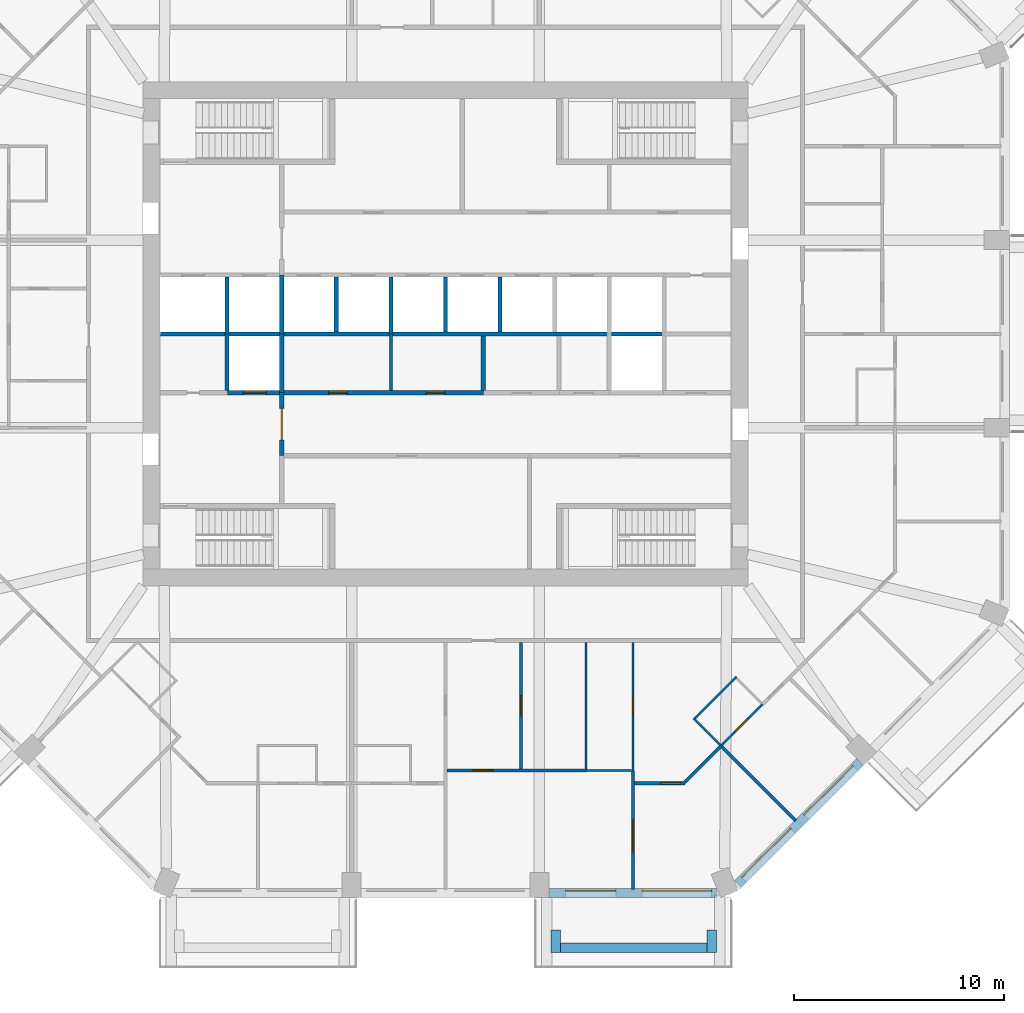
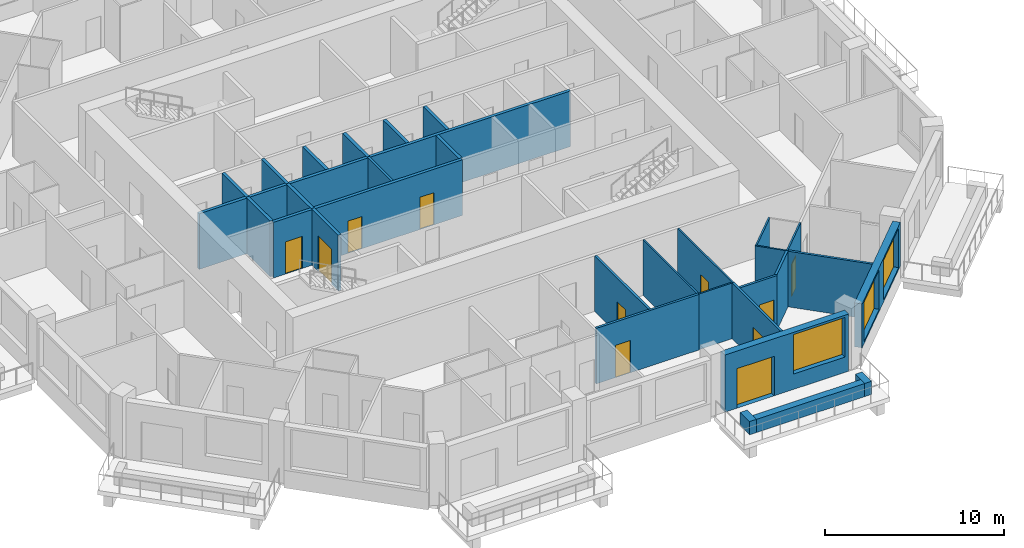
# One storey, part 5 of 13: 31 walls, 11 doors, 3 windows, 14 openings.
"""IFC4 building model written with IfcOpenShell, lengths in metres."""

from ifc_helpers import new_model, si_unit, direction, frame, frame_2d, origin, place, context, subcontext, project, spatial, rectangle, extrude, material, layer, layer_set, type_object, element, fill, save


model = new_model("IFC4")

# Units and contexts
model_context = context("Model", 3, precision=1e-05, world=origin(), true_north=direction((0.0, 1.0)))
body_context = subcontext(model_context, "Body", "Model", "MODEL_VIEW")
ifc_project = project(units=[si_unit("LENGTHUNIT", "METRE"), si_unit("AREAUNIT", "SQUARE_METRE"), si_unit("VOLUMEUNIT", "CUBIC_METRE"), si_unit("PLANEANGLEUNIT", "RADIAN"), si_unit("MASSUNIT", "GRAM", prefix="KILO")], contexts=[model_context])

# Site, building, storey
site_placement = place(None, origin())
site = spatial("IfcSite", under=ifc_project, at=site_placement, CompositionType="ELEMENT")
building_placement = place(site_placement, origin())
building = spatial("IfcBuilding", under=site, at=building_placement, Name="Msitu Wima Residences", CompositionType="ELEMENT")
storey_placement = place(building_placement, frame((0.0, 0.0, 152.699951171875)))
storey = spatial("IfcBuildingStorey", under=building, at=storey_placement, Name="L35", CompositionType="ELEMENT", Elevation=152.699951171875)

# Walls
ifc_material_1 = material(Name="Facing brick")
ifc_layer_1 = layer(ifc_material_1, 0.06494140625, Name="Facing brick")
ifc_material_2 = material(Name="Concrete C40/50", Category="concrete")
ifc_layer_2 = layer(ifc_material_2, 0.156005859375, Name="Concrete C40/50")
ifc_material_3 = material(Name="Waterproofing membrane")
ifc_layer_3 = layer(ifc_material_3, 0.00390625, Name="Waterproofing membrane")
ifc_material_4 = material(Name="Planting soil and planting")
ifc_layer_4 = layer(ifc_material_4, 0.22509765625, Name="Planting soil and planting")
ifc_layer_set_1 = layer_set([ifc_layer_1, ifc_layer_2, ifc_layer_3, ifc_layer_4], Name="Concrete C40/50")
wall_type_1 = type_object("IfcWallType", Name="Balcony planter PLANTER PL450", PredefinedType="USERDEFINED", material=ifc_layer_set_1)
wall_1_placement = place(storey_placement, frame((5.468505859375, -29.22509765625, 0.0), z_axis=(0.0, 0.0, 1.0), x_axis=(1.0, 0.0, 0.0)))
element("IfcWall", 1, at=wall_1_placement, inside=storey, type_object=wall_type_1, Name="Balcony planter S2 L35", ObjectType="PLANTER", PredefinedType="USERDEFINED", context=body_context, shape_type="SweptSolid", body=[
    extrude(rectangle(XDim=6.9873046875, YDim=0.449951171875, at=frame_2d((3.49365234375, 0.0))), origin(), (0.0, 0.0, 1.0), 0.900146484375),
])
for number, where, z_axis, x_axis, name in (
    (2, (5.24365234375, -28.39990234375, 0.0), (0.0, 0.0, 1.0), (0.0, -1.0, 0.0), "Balcony planter S2 L35"),
    (3, (12.680908203125, -28.39990234375, 0.0), (0.0, 0.0, 1.0), (0.0, -1.0, 0.0), "Balcony planter S2 L35"),
):
    element("IfcWall", number, at=place(storey_placement, frame(where, z_axis=z_axis, x_axis=x_axis)), inside=storey, type_object=wall_type_1, Name=name, ObjectType="PLANTER", PredefinedType="USERDEFINED", context=body_context, shape_type="SweptSolid", body=[
        extrude(rectangle(XDim=1.050048828125, YDim=0.449951171875, at=frame_2d((0.52490234375, 0.0))), origin(), (0.0, 0.0, 1.0), 0.900146484375),
    ])

# Wall, openings, door, window
ifc_material_5 = material(Name="Brick (red buff mix)", Category="masonry")
ifc_layer_5 = layer(ifc_material_5, 0.449951171875)
ifc_layer_set_2 = layer_set([ifc_layer_5], Name="Brick (red buff mix)")
wall_type_2 = type_object("IfcWallType", Name="Brick infill wall BW450", PredefinedType="SOLIDWALL", material=ifc_layer_set_2)
wall_2_placement = place(storey_placement, frame((4.918701171875, -26.625, 0.0), z_axis=(0.0, 0.0, 1.0), x_axis=(1.0, 0.0, 0.0)))
wall_2 = element("IfcWall", 4, at=wall_2_placement, inside=storey, type_object=wall_type_2, Name="Brick infill wall L35 S2", PredefinedType="SOLIDWALL", context=body_context, shape_type="SweptSolid", body=[
    extrude(rectangle(XDim=8.0, YDim=0.449951171875, at=frame_2d((4.0, 0.0))), origin(), (0.0, 0.0, 1.0), 3.900146484375),
])
opening_1_placement = place(wall_2_placement, frame((0.800048828125, 0.0, 0.0)))
opening_1 = element("IfcOpeningElement", 5, at=opening_1_placement, cuts=wall_2, Name="Opening D34-35.007", PredefinedType="OPENING", context=body_context, shape_type="SweptSolid", body=[
    extrude(rectangle(XDim=2.39990234375, YDim=2.699951171875, at=frame_2d((1.199951171875, 1.35009765625))), frame((0.0, 0.23486328125, 0.0), z_axis=(0.0, -1.0, 0.0), x_axis=(1.0, 0.0, 0.0)), (0.0, 0.0, 1.0), 0.469970703125),
])
opening_2_placement = place(wall_2_placement, frame((4.4501953125, 0.0, 1.050048828125)))
opening_2 = element("IfcOpeningElement", 6, at=opening_2_placement, cuts=wall_2, Name="Opening W34-35.019", PredefinedType="OPENING", context=body_context, shape_type="SweptSolid", body=[
    extrude(rectangle(XDim=3.300048828125, YDim=2.699951171875, at=frame_2d((1.64990234375, 1.35009765625))), frame((0.0, 0.23486328125, 0.0), z_axis=(0.0, -1.0, 0.0), x_axis=(1.0, 0.0, 0.0)), (0.0, 0.0, 1.0), 0.469970703125),
])
ifc_material_6 = material(Name="Anodised aluminium, bronze finish, clear low-emissivity double glazing", Category="aluminium")
door_type_1 = type_object("IfcDoorType", Name="Balcony door D2400x2700", OperationType="SLIDING_TO_LEFT", PredefinedType="DOOR", material=ifc_material_6)
door_1_placement = place(opening_1_placement, origin())
door_1 = element("IfcDoor", 7, at=door_1_placement, inside=storey, type_object=door_type_1, Name="Balcony door L35 S2", OperationType="SINGLE_SWING_LEFT", OverallHeight=2.699951171875, OverallWidth=2.39990234375, PredefinedType="DOOR", context=body_context, shape_type="SweptSolid", body=[
    extrude(rectangle(XDim=2.39990234375, YDim=2.699951171875, at=frame_2d((1.199951171875, 1.35009765625))), frame((0.0, 0.1298828125, 0.0), z_axis=(0.0, -1.0, 0.0), x_axis=(1.0, 0.0, 0.0)), (0.0, 0.0, 1.0), 0.050048828125),
])
fill(opening_1, door_1)
window_type = type_object("IfcWindowType", Name="Window W3300x2700", PartitioningType="DOUBLE_PANEL_VERTICAL", PredefinedType="WINDOW", material=ifc_material_6)
window_1_placement = place(opening_2_placement, origin())
window_1 = element("IfcWindow", 8, at=window_1_placement, inside=storey, type_object=window_type, Name="Window L35 S2.2", OverallHeight=2.699951171875, OverallWidth=3.300048828125, PartitioningType="SINGLE_PANEL", PredefinedType="WINDOW", context=body_context, shape_type="SweptSolid", body=[
    extrude(rectangle(XDim=3.300048828125, YDim=2.699951171875, at=frame_2d((1.64990234375, 1.35009765625))), frame((0.0, 0.135009765625, 0.0), z_axis=(0.0, -1.0, 0.0), x_axis=(1.0, 0.0, 0.0)), (0.0, 0.0, 1.0), 0.06005859375),
])
fill(opening_2, window_1)

# Wall, openings, windows
wall_3_placement = place(storey_placement, frame((13.909423828125, -26.214599609375, 0.900146484375), z_axis=(0.0, 0.0, 1.0), x_axis=(0.707106781187, 0.707106781187, 0.0)))
wall_3 = element("IfcWall", 9, at=wall_3_placement, inside=storey, type_object=wall_type_2, Name="Brick infill wall L35 SE0", PredefinedType="SOLIDWALL", context=body_context, shape_type="SweptSolid", body=[
    extrude(rectangle(XDim=8.251220703125, YDim=0.449951171875, at=frame_2d((4.12548828125, 0.0))), origin(), (0.0, 0.0, 1.0), 3.0),
])
opening_3_placement = place(wall_3_placement, frame((0.37548828125, 0.0, 0.14990234375)))
opening_3 = element("IfcOpeningElement", 10, at=opening_3_placement, cuts=wall_3, Name="Opening W34-35.020", PredefinedType="OPENING", context=body_context, shape_type="SweptSolid", body=[
    extrude(rectangle(XDim=3.300048828125, YDim=2.699951171875, at=frame_2d((1.64990234375, 1.35009765625))), frame((0.0, 0.23486328125, 0.0), z_axis=(0.0, -1.0, 0.0), x_axis=(1.0, 0.0, 0.0)), (0.0, 0.0, 1.0), 0.469970703125),
])
opening_4_placement = place(wall_3_placement, frame((4.57568359375, 0.0, 0.14990234375)))
opening_4 = element("IfcOpeningElement", 11, at=opening_4_placement, cuts=wall_3, Name="Opening W34-35.021", PredefinedType="OPENING", context=body_context, shape_type="SweptSolid", body=[
    extrude(rectangle(XDim=3.300048828125, YDim=2.699951171875, at=frame_2d((1.64990234375, 1.35009765625))), frame((0.0, 0.23486328125, 0.0), z_axis=(0.0, -1.0, 0.0), x_axis=(1.0, 0.0, 0.0)), (0.0, 0.0, 1.0), 0.469970703125),
])
window_2_placement = place(opening_3_placement, origin())
window_2 = element("IfcWindow", 12, at=window_2_placement, inside=storey, type_object=window_type, Name="Window L35 SE0.1", OverallHeight=2.699951171875, OverallWidth=3.300048828125, PartitioningType="SINGLE_PANEL", PredefinedType="WINDOW", context=body_context, shape_type="SweptSolid", body=[
    extrude(rectangle(XDim=3.300048828125, YDim=2.699951171875, at=frame_2d((1.64990234375, 1.35009765625))), frame((0.0, 0.135009765625, 0.0), z_axis=(0.0, -1.0, 0.0), x_axis=(1.0, 0.0, 0.0)), (0.0, 0.0, 1.0), 0.06005859375),
])
fill(opening_3, window_2)
window_3_placement = place(opening_4_placement, origin())
window_3 = element("IfcWindow", 13, at=window_3_placement, inside=storey, type_object=window_type, Name="Window L35 SE0.2", OverallHeight=2.699951171875, OverallWidth=3.300048828125, PartitioningType="SINGLE_PANEL", PredefinedType="WINDOW", context=body_context, shape_type="SweptSolid", body=[
    extrude(rectangle(XDim=3.300048828125, YDim=2.699951171875, at=frame_2d((1.64990234375, 1.35009765625))), frame((0.0, 0.135009765625, 0.0), z_axis=(0.0, -1.0, 0.0), x_axis=(1.0, 0.0, 0.0)), (0.0, 0.0, 1.0), 0.06005859375),
])
fill(opening_4, window_3)

# Wall, openings, doors
ifc_material_7 = material(Name="Plaster")
ifc_layer_6 = layer(ifc_material_7, 0.011962890625, Name="Plaster")
ifc_material_8 = material(Name="Concrete blockwork", Category="masonry")
ifc_layer_7 = layer(ifc_material_8, 0.176025390625, Name="Concrete blockwork")
ifc_layer_8 = layer(ifc_material_7, 0.011962890625, Name="Plaster")
ifc_layer_set_3 = layer_set([ifc_layer_6, ifc_layer_7, ifc_layer_8], Name="Concrete blockwork")
wall_type_3 = type_object("IfcWallType", Name="Corridor wall FW200", PredefinedType="PARTITIONING", material=ifc_layer_set_3)
wall_4_placement = place(storey_placement, frame((-7.820068359375, -2.800048828125, 0.0), z_axis=(0.0, 0.0, 1.0), x_axis=(1.0, 0.0, 0.0)))
wall_4 = element("IfcWall", 14, at=wall_4_placement, inside=storey, type_object=wall_type_3, Name="Corridor wall", PredefinedType="PARTITIONING", context=body_context, shape_type="SweptSolid", body=[
    extrude(rectangle(XDim=9.64013671875, YDim=0.199951171875, at=frame_2d((4.820068359375, 0.0))), origin(), (0.0, 0.0, 1.0), 3.798095703125),
])
opening_5_placement = place(wall_4_placement, frame((2.25, 0.0, 0.0)))
opening_5 = element("IfcOpeningElement", 15, at=opening_5_placement, cuts=wall_4, Name="Opening D34-35.029", PredefinedType="OPENING", context=body_context, shape_type="SweptSolid", body=[
    extrude(rectangle(XDim=0.89990234375, YDim=2.199951171875, at=frame_2d((0.449951171875, 1.10009765625))), frame((0.0, 0.10986328125, 0.0), z_axis=(0.0, -1.0, 0.0), x_axis=(1.0, 0.0, 0.0)), (0.0, 0.0, 1.0), 0.219970703125),
])
opening_6_placement = place(wall_4_placement, frame((6.89990234375, 0.0, 0.0)))
opening_6 = element("IfcOpeningElement", 16, at=opening_6_placement, cuts=wall_4, Name="Opening D34-35.030", PredefinedType="OPENING", context=body_context, shape_type="SweptSolid", body=[
    extrude(rectangle(XDim=0.89990234375, YDim=2.199951171875, at=frame_2d((0.449951171875, 1.10009765625))), frame((0.0, 0.10986328125, 0.0), z_axis=(0.0, -1.0, 0.0), x_axis=(1.0, 0.0, 0.0)), (0.0, 0.0, 1.0), 0.219970703125),
])
ifc_material_9 = material(Name="Timber flush door", Category="wood")
door_type_2 = type_object("IfcDoorType", Name="Service door D05 900x2200", OperationType="SINGLE_SWING_LEFT", PredefinedType="DOOR", material=ifc_material_9)
door_2_placement = place(opening_5_placement, origin())
door_2 = element("IfcDoor", 17, at=door_2_placement, inside=storey, type_object=door_type_2, Name="Service door", OperationType="SINGLE_SWING_RIGHT", OverallHeight=2.199951171875, OverallWidth=0.89990234375, PredefinedType="DOOR", context=body_context, shape_type="SweptSolid", body=[
    extrude(rectangle(XDim=0.89990234375, YDim=2.199951171875, at=frame_2d((0.449951171875, 1.10009765625))), frame((0.0, 0.02490234375, 0.0), z_axis=(0.0, -1.0, 0.0), x_axis=(1.0, 0.0, 0.0)), (0.0, 0.0, 1.0), 0.050048828125),
])
fill(opening_5, door_2)
door_3_placement = place(opening_6_placement, origin())
door_3 = element("IfcDoor", 18, at=door_3_placement, inside=storey, type_object=door_type_2, Name="Service door", OperationType="SINGLE_SWING_LEFT", OverallHeight=2.199951171875, OverallWidth=0.89990234375, PredefinedType="DOOR", context=body_context, shape_type="SweptSolid", body=[
    extrude(rectangle(XDim=0.89990234375, YDim=2.199951171875, at=frame_2d((0.449951171875, 1.10009765625))), frame((0.0, 0.02490234375, 0.0), z_axis=(0.0, -1.0, 0.0), x_axis=(1.0, 0.0, 0.0)), (0.0, 0.0, 1.0), 0.050048828125),
])
fill(opening_6, door_3)

# Wall, opening, door
wall_5_placement = place(storey_placement, frame((-7.800048828125, -5.800048828125, 0.0), z_axis=(0.0, 0.0, 1.0), x_axis=(0.0, 1.0, 0.0)))
wall_5 = element("IfcWall", 19, at=wall_5_placement, inside=storey, type_object=wall_type_3, Name="Corridor wall", PredefinedType="PARTITIONING", context=body_context, shape_type="SweptSolid", body=[
    extrude(rectangle(XDim=3.0, YDim=0.199951171875, at=frame_2d((1.5, 0.0))), origin(), (0.0, 0.0, 1.0), 3.798095703125),
])
opening_7_placement = place(wall_5_placement, frame((0.75, 0.0, 0.0)))
opening_7 = element("IfcOpeningElement", 20, at=opening_7_placement, cuts=wall_5, Name="Opening D34-35.019", PredefinedType="OPENING", context=body_context, shape_type="SweptSolid", body=[
    extrude(rectangle(XDim=1.5, YDim=2.39990234375, at=frame_2d((0.75, 1.199951171875))), frame((0.0, 0.10986328125, 0.0), z_axis=(0.0, -1.0, 0.0), x_axis=(1.0, 0.0, 0.0)), (0.0, 0.0, 1.0), 0.219970703125),
])
ifc_material_10 = material(Name="Steel framed glazed door, fire resisting", Category="steel")
door_type_3 = type_object("IfcDoorType", Name="Lobby door D07 1500x2400", OperationType="DOUBLE_DOOR_SINGLE_SWING", PredefinedType="DOOR", material=ifc_material_10)
door_4_placement = place(opening_7_placement, origin())
door_4 = element("IfcDoor", 21, at=door_4_placement, inside=storey, type_object=door_type_3, Name="Lobby door", OperationType="DOUBLE_DOOR_SINGLE_SWING", OverallHeight=2.39990234375, OverallWidth=1.5, PredefinedType="DOOR", context=body_context, shape_type="SweptSolid", body=[
    extrude(rectangle(XDim=1.5, YDim=2.39990234375, at=frame_2d((0.75, 1.199951171875))), frame((0.0, 0.02490234375, 0.0), z_axis=(0.0, -1.0, 0.0), x_axis=(1.0, 0.0, 0.0)), (0.0, 0.0, 1.0), 0.050048828125),
])
fill(opening_7, door_4)

# Wall
ifc_layer_9 = layer(ifc_material_7, 0.011962890625, Name="Plaster")
ifc_layer_10 = layer(ifc_material_8, 0.1259765625, Name="Concrete blockwork")
ifc_layer_11 = layer(ifc_material_7, 0.011962890625, Name="Plaster")
ifc_layer_set_4 = layer_set([ifc_layer_9, ifc_layer_10, ifc_layer_11], Name="Concrete blockwork")
wall_type_4 = type_object("IfcWallType", Name="Partition PW150", PredefinedType="PARTITIONING", material=ifc_layer_set_4)
wall_6_placement = place(storey_placement, frame((-2.60009765625, -2.699951171875, 0.0), z_axis=(0.0, 0.0, 1.0), x_axis=(0.0, 1.0, 0.0)))
element("IfcWall", 22, at=wall_6_placement, inside=storey, type_object=wall_type_4, Name="Partition", PredefinedType="PARTITIONING", context=body_context, shape_type="SweptSolid", body=[
    extrude(rectangle(XDim=2.699951171875, YDim=0.14990234375, at=frame_2d((1.35009765625, 0.0))), origin(), (0.0, 0.0, 1.0), 3.798095703125),
])

# Wall, opening, door
wall_7_placement = place(storey_placement, frame((0.074951171875, -20.800048828125, 0.0), z_axis=(0.0, 0.0, 1.0), x_axis=(1.0, 0.0, 0.0)))
wall_7 = element("IfcWall", 23, at=wall_7_placement, inside=storey, type_object=wall_type_4, Name="Partition", PredefinedType="PARTITIONING", context=body_context, shape_type="SweptSolid", body=[
    extrude(rectangle(XDim=6.64501953125, YDim=0.14990234375, at=frame_2d((3.322509765625, 0.0))), origin(), (0.0, 0.0, 1.0), 3.798095703125),
])
opening_8_placement = place(wall_7_placement, frame((1.25, 0.0, 0.0)))
opening_8 = element("IfcOpeningElement", 24, at=opening_8_placement, cuts=wall_7, Name="Opening D34-35.073", PredefinedType="OPENING", context=body_context, shape_type="SweptSolid", body=[
    extrude(rectangle(XDim=0.949951171875, YDim=2.199951171875, at=frame_2d((0.47509765625, 1.10009765625))), frame((0.0, 0.0849609375, 0.0), z_axis=(0.0, -1.0, 0.0), x_axis=(1.0, 0.0, 0.0)), (0.0, 0.0, 1.0), 0.169921875),
])
door_type_4 = type_object("IfcDoorType", Name="Room door D12 950x2200", OperationType="SINGLE_SWING_LEFT", PredefinedType="DOOR", material=ifc_material_9)
door_5_placement = place(opening_8_placement, origin())
door_5 = element("IfcDoor", 25, at=door_5_placement, inside=storey, type_object=door_type_4, Name="Room door", OperationType="SINGLE_SWING_RIGHT", OverallHeight=2.199951171875, OverallWidth=0.949951171875, PredefinedType="DOOR", context=body_context, shape_type="SweptSolid", body=[
    extrude(rectangle(XDim=0.949951171875, YDim=2.199951171875, at=frame_2d((0.47509765625, 1.10009765625))), frame((0.0, 0.02490234375, 0.0), z_axis=(0.0, -1.0, 0.0), x_axis=(1.0, 0.0, 0.0)), (0.0, 0.0, 1.0), 0.050048828125),
])
fill(opening_8, door_5)

wall_8_placement = place(storey_placement, frame((3.60009765625, -20.72509765625, 0.0), z_axis=(0.0, 0.0, 1.0), x_axis=(0.0, 1.0, 0.0)))
wall_8 = element("IfcWall", 26, at=wall_8_placement, inside=storey, type_object=wall_type_4, Name="Partition", PredefinedType="PARTITIONING", context=body_context, shape_type="SweptSolid", body=[
    extrude(rectangle(XDim=6.025146484375, YDim=0.14990234375, at=frame_2d((3.0126953125, 0.0))), origin(), (0.0, 0.0, 1.0), 3.798095703125),
])
opening_9_placement = place(wall_8_placement, frame((2.550048828125, 0.0, 0.0)))
opening_9 = element("IfcOpeningElement", 27, at=opening_9_placement, cuts=wall_8, Name="Opening D34-35.076", PredefinedType="OPENING", context=body_context, shape_type="SweptSolid", body=[
    extrude(rectangle(XDim=0.949951171875, YDim=2.199951171875, at=frame_2d((0.47509765625, 1.10009765625))), frame((0.0, 0.0849609375, 0.0), z_axis=(0.0, -1.0, 0.0), x_axis=(1.0, 0.0, 0.0)), (0.0, 0.0, 1.0), 0.169921875),
])
door_6_placement = place(opening_9_placement, origin())
door_6 = element("IfcDoor", 28, at=door_6_placement, inside=storey, type_object=door_type_4, Name="Room door", OperationType="SINGLE_SWING_LEFT", OverallHeight=2.199951171875, OverallWidth=0.949951171875, PredefinedType="DOOR", context=body_context, shape_type="SweptSolid", body=[
    extrude(rectangle(XDim=0.949951171875, YDim=2.199951171875, at=frame_2d((0.47509765625, 1.10009765625))), frame((0.0, 0.02490234375, 0.0), z_axis=(0.0, -1.0, 0.0), x_axis=(1.0, 0.0, 0.0)), (0.0, 0.0, 1.0), 0.050048828125),
])
fill(opening_9, door_6)

wall_9_placement = place(storey_placement, frame((8.937255859375, -26.455078125, 0.0), z_axis=(0.0, 0.0, 1.0), x_axis=(0.0, 1.0, 0.0)))
wall_9 = element("IfcWall", 29, at=wall_9_placement, inside=storey, type_object=wall_type_4, Name="Partition", PredefinedType="PARTITIONING", context=body_context, shape_type="SweptSolid", body=[
    extrude(rectangle(XDim=5.635009765625, YDim=0.14990234375, at=frame_2d((2.8173828125, 0.0))), origin(), (0.0, 0.0, 1.0), 3.798095703125),
])
opening_10_placement = place(wall_9_placement, frame((1.800048828125, 0.0, 0.0)))
opening_10 = element("IfcOpeningElement", 30, at=opening_10_placement, cuts=wall_9, Name="Opening D34-35.077", PredefinedType="OPENING", context=body_context, shape_type="SweptSolid", body=[
    extrude(rectangle(XDim=1.5, YDim=2.199951171875, at=frame_2d((0.75, 1.10009765625))), frame((0.0, 0.0849609375, 0.0), z_axis=(0.0, -1.0, 0.0), x_axis=(1.0, 0.0, 0.0)), (0.0, 0.0, 1.0), 0.169921875),
])
ifc_material_11 = material(Name="Timber double door", Category="wood")
door_type_5 = type_object("IfcDoorType", Name="Double door D04 1500x2200", OperationType="DOUBLE_DOOR_SINGLE_SWING", PredefinedType="DOOR", material=ifc_material_11)
door_7_placement = place(opening_10_placement, origin())
door_7 = element("IfcDoor", 31, at=door_7_placement, inside=storey, type_object=door_type_5, Name="Double door", OperationType="DOUBLE_DOOR_SINGLE_SWING", OverallHeight=2.199951171875, OverallWidth=1.5, PredefinedType="DOOR", context=body_context, shape_type="SweptSolid", body=[
    extrude(rectangle(XDim=1.5, YDim=2.199951171875, at=frame_2d((0.75, 1.10009765625))), frame((0.0, 0.02490234375, 0.0), z_axis=(0.0, -1.0, 0.0), x_axis=(1.0, 0.0, 0.0)), (0.0, 0.0, 1.0), 0.050048828125),
])
fill(opening_10, door_7)

wall_10_placement = place(storey_placement, frame((9.01220703125, -21.39990234375, 0.0), z_axis=(0.0, 0.0, 1.0), x_axis=(1.0, 0.0, 0.0)))
wall_10 = element("IfcWall", 32, at=wall_10_placement, inside=storey, type_object=wall_type_4, Name="Partition", PredefinedType="PARTITIONING", context=body_context, shape_type="SweptSolid", body=[
    extrude(rectangle(XDim=2.397705078125, YDim=0.14990234375, at=frame_2d((1.19873046875, 0.0))), origin(), (0.0, 0.0, 1.0), 3.798095703125),
])
opening_11_placement = place(wall_10_placement, frame((1.25, 0.0, 0.0)))
opening_11 = element("IfcOpeningElement", 33, at=opening_11_placement, cuts=wall_10, Name="Opening D34-35.078", PredefinedType="OPENING", context=body_context, shape_type="SweptSolid", body=[
    extrude(rectangle(XDim=0.949951171875, YDim=2.199951171875, at=frame_2d((0.47509765625, 1.10009765625))), frame((0.0, 0.0849609375, 0.0), z_axis=(0.0, -1.0, 0.0), x_axis=(1.0, 0.0, 0.0)), (0.0, 0.0, 1.0), 0.169921875),
])
door_8_placement = place(opening_11_placement, origin())
door_8 = element("IfcDoor", 34, at=door_8_placement, inside=storey, type_object=door_type_4, Name="Room door", OperationType="SINGLE_SWING_RIGHT", OverallHeight=2.199951171875, OverallWidth=0.949951171875, PredefinedType="DOOR", context=body_context, shape_type="SweptSolid", body=[
    extrude(rectangle(XDim=0.949951171875, YDim=2.199951171875, at=frame_2d((0.47509765625, 1.10009765625))), frame((0.0, 0.02490234375, 0.0), z_axis=(0.0, -1.0, 0.0), x_axis=(1.0, 0.0, 0.0)), (0.0, 0.0, 1.0), 0.050048828125),
])
fill(opening_11, door_8)

# Walls
wall_11_placement = place(storey_placement, frame((11.387939453125, -21.346923828125, 0.0), z_axis=(0.0, 0.0, 1.0), x_axis=(0.707106781187, 0.707106781187, 0.0)))
element("IfcWall", 35, at=wall_11_placement, inside=storey, type_object=wall_type_4, Name="Partition", PredefinedType="PARTITIONING", context=body_context, shape_type="SweptSolid", body=[
    extrude(rectangle(XDim=2.447998046875, YDim=0.14990234375, at=frame_2d((1.22412109375, 0.0))), origin(), (0.0, 0.0, 1.0), 3.798095703125),
])
wall_12_placement = place(storey_placement, frame((13.104736328125, -19.601806640625, 0.0), z_axis=(0.0, 0.0, 1.0), x_axis=(0.707106781187, -0.707106781187, 0.0)))
element("IfcWall", 36, at=wall_12_placement, inside=storey, type_object=wall_type_4, Name="Partition", PredefinedType="PARTITIONING", context=body_context, shape_type="SweptSolid", body=[
    extrude(rectangle(XDim=5.0751953125, YDim=0.14990234375, at=frame_2d((2.53759765625, 0.0))), origin(), (0.0, 0.0, 1.0), 3.798095703125),
])
ifc_layer_12 = layer(ifc_material_7, 0.011962890625, Name="Plaster")
ifc_material_12 = material(Name="Reinforced concrete blockwork", Category="masonry")
ifc_layer_13 = layer(ifc_material_12, 0.176025390625, Name="Reinforced concrete blockwork")
ifc_layer_14 = layer(ifc_material_7, 0.011962890625, Name="Plaster")
ifc_layer_set_5 = layer_set([ifc_layer_12, ifc_layer_13, ifc_layer_14], Name="Reinforced concrete blockwork")
wall_type_5 = type_object("IfcWallType", Name="Plant and riser wall PL200", PredefinedType="PARTITIONING", material=ifc_layer_set_5)
wall_13_placement = place(storey_placement, frame((1.800048828125, -2.699951171875, 0.0), z_axis=(0.0, 0.0, 1.0), x_axis=(0.0, 1.0, 0.0)))
element("IfcWall", 37, at=wall_13_placement, inside=storey, type_object=wall_type_5, Name="Plant and riser wall", PredefinedType="PARTITIONING", context=body_context, shape_type="SweptSolid", body=[
    extrude(rectangle(XDim=2.599853515625, YDim=0.199951171875, at=frame_2d((1.2998046875, 0.0))), origin(), (0.0, 0.0, 1.0), 3.798095703125),
])
ifc_material_13 = material(Name="Fire-rated board")
ifc_layer_15 = layer(ifc_material_13, 0.02490234375, Name="Fire-rated board")
ifc_material_14 = material(Name="Light-gauge stud framing with mineral wool")
ifc_layer_16 = layer(ifc_material_14, 0.14990234375, Name="Light-gauge stud framing with mineral wool")
ifc_layer_17 = layer(ifc_material_13, 0.02490234375, Name="Fire-rated board")
ifc_layer_set_6 = layer_set([ifc_layer_15, ifc_layer_16, ifc_layer_17], Name="Light-gauge stud framing with mineral wool")
wall_type_6 = type_object("IfcWallType", Name="Shaft wall SH200", PredefinedType="PARTITIONING", material=ifc_layer_set_6)
wall_14_placement = place(storey_placement, frame((-13.570068359375, 0.0, 0.0), z_axis=(0.0, 0.0, 1.0), x_axis=(1.0, 0.0, 0.0)))
element("IfcWall", 38, at=wall_14_placement, inside=storey, type_object=wall_type_6, Name="Shaft wall", PredefinedType="PARTITIONING", context=body_context, shape_type="SweptSolid", body=[
    extrude(rectangle(XDim=23.969970703125, YDim=0.199951171875, at=frame_2d((11.98486328125, 0.0))), origin(), (0.0, 0.0, 1.0), 3.798095703125),
])
wall_15_placement = place(storey_placement, frame((-10.39990234375, -2.699951171875, 0.0), z_axis=(0.0, 0.0, 1.0), x_axis=(0.0, 1.0, 0.0)))
element("IfcWall", 39, at=wall_15_placement, inside=storey, type_object=wall_type_6, Name="Shaft wall", PredefinedType="PARTITIONING", context=body_context, shape_type="SweptSolid", body=[
    extrude(rectangle(XDim=2.699951171875, YDim=0.199951171875, at=frame_2d((1.35009765625, 0.0))), origin(), (0.0, 0.0, 1.0), 3.798095703125),
])

# Wall, opening, door
wall_16_placement = place(storey_placement, frame((-10.3798828125, -2.800048828125, 0.0), z_axis=(0.0, 0.0, 1.0), x_axis=(1.0, 0.0, 0.0)))
wall_16 = element("IfcWall", 40, at=wall_16_placement, inside=storey, type_object=wall_type_6, Name="Shaft wall", PredefinedType="PARTITIONING", context=body_context, shape_type="SweptSolid", body=[
    extrude(rectangle(XDim=2.559814453125, YDim=0.199951171875, at=frame_2d((1.27978515625, 0.0))), origin(), (0.0, 0.0, 1.0), 3.798095703125),
])
opening_12_placement = place(wall_16_placement, frame((0.75, 0.0, 0.0)))
opening_12 = element("IfcOpeningElement", 41, at=opening_12_placement, cuts=wall_16, Name="Opening LD", PredefinedType="OPENING", context=body_context, shape_type="SweptSolid", body=[
    extrude(rectangle(XDim=1.10009765625, YDim=2.199951171875, at=frame_2d((0.550048828125, 1.10009765625))), frame((0.0, 0.10986328125, 0.0), z_axis=(0.0, -1.0, 0.0), x_axis=(1.0, 0.0, 0.0)), (0.0, 0.0, 1.0), 0.219970703125),
])
ifc_material_15 = material(Name="Stainless steel centre-opening landing door, rated", Category="steel")
door_type_6 = type_object("IfcDoorType", Name="Lift landing door LD 1100x2200", OperationType="DOUBLE_DOOR_SLIDING", PredefinedType="DOOR", material=ifc_material_15)
door_9_placement = place(opening_12_placement, origin())
door_9 = element("IfcDoor", 42, at=door_9_placement, inside=storey, type_object=door_type_6, Name="Lift landing door LD3", OperationType="DOUBLE_DOOR_SLIDING", OverallHeight=2.199951171875, OverallWidth=1.10009765625, PredefinedType="DOOR", context=body_context, shape_type="SweptSolid", body=[
    extrude(rectangle(XDim=1.10009765625, YDim=2.199951171875, at=frame_2d((0.550048828125, 1.10009765625))), frame((0.0, 0.02490234375, 0.0), z_axis=(0.0, -1.0, 0.0), x_axis=(1.0, 0.0, 0.0)), (0.0, 0.0, 1.0), 0.050048828125),
])
fill(opening_12, door_9)

# Walls
wall_17_placement = place(storey_placement, frame((-10.39990234375, 0.0, 0.0), z_axis=(0.0, 0.0, 1.0), x_axis=(0.0, 1.0, 0.0)))
element("IfcWall", 43, at=wall_17_placement, inside=storey, type_object=wall_type_6, Name="Shaft wall", PredefinedType="PARTITIONING", context=body_context, shape_type="SweptSolid", body=[
    extrude(rectangle(XDim=2.699951171875, YDim=0.199951171875, at=frame_2d((1.35009765625, 0.0))), origin(), (0.0, 0.0, 1.0), 3.798095703125),
])
for number, where, z_axis, x_axis, name in (
    (44, (-7.800048828125, -2.800048828125, 0.0), (0.0, 0.0, 1.0), (0.0, 1.0, 0.0), "Shaft wall"),
    (45, (-7.800048828125, 0.0, 0.0), (0.0, 0.0, 1.0), (0.0, 1.0, 0.0), "Shaft wall"),
):
    element("IfcWall", number, at=place(storey_placement, frame(where, z_axis=z_axis, x_axis=x_axis)), inside=storey, type_object=wall_type_6, Name=name, PredefinedType="PARTITIONING", context=body_context, shape_type="SweptSolid", body=[
        extrude(rectangle(XDim=2.800048828125, YDim=0.199951171875, at=frame_2d((1.39990234375, 0.0))), origin(), (0.0, 0.0, 1.0), 3.798095703125),
    ])
wall_18_placement = place(storey_placement, frame((-5.199951171875, 0.10009765625, 0.0), z_axis=(0.0, 0.0, 1.0), x_axis=(0.0, 1.0, 0.0)))
element("IfcWall", 46, at=wall_18_placement, inside=storey, type_object=wall_type_6, Name="Shaft wall", PredefinedType="PARTITIONING", context=body_context, shape_type="SweptSolid", body=[
    extrude(rectangle(XDim=2.599853515625, YDim=0.199951171875, at=frame_2d((1.2998046875, 0.0))), origin(), (0.0, 0.0, 1.0), 3.798095703125),
])
wall_19_placement = place(storey_placement, frame((-2.60009765625, 0.0, 0.0), z_axis=(0.0, 0.0, 1.0), x_axis=(0.0, 1.0, 0.0)))
element("IfcWall", 47, at=wall_19_placement, inside=storey, type_object=wall_type_6, Name="Shaft wall", PredefinedType="PARTITIONING", context=body_context, shape_type="SweptSolid", body=[
    extrude(rectangle(XDim=2.699951171875, YDim=0.199951171875, at=frame_2d((1.35009765625, 0.0))), origin(), (0.0, 0.0, 1.0), 3.798095703125),
])
for number, where, z_axis, x_axis, name in (
    (48, (0.0, 0.10009765625, 0.0), (0.0, 0.0, 1.0), (0.0, 1.0, 0.0), "Shaft wall"),
    (49, (2.60009765625, 0.10009765625, 0.0), (0.0, 0.0, 1.0), (0.0, 1.0, 0.0), "Shaft wall"),
):
    element("IfcWall", number, at=place(storey_placement, frame(where, z_axis=z_axis, x_axis=x_axis)), inside=storey, type_object=wall_type_6, Name=name, PredefinedType="PARTITIONING", context=body_context, shape_type="SweptSolid", body=[
        extrude(rectangle(XDim=2.599853515625, YDim=0.199951171875, at=frame_2d((1.2998046875, 0.0))), origin(), (0.0, 0.0, 1.0), 3.798095703125),
    ])
ifc_material_16 = material(Name="Ceramic tiles")
ifc_layer_18 = layer(ifc_material_16, 0.008056640625, Name="Ceramic tiles")
ifc_material_17 = material(Name="Moisture-resistant board")
ifc_layer_19 = layer(ifc_material_17, 0.012451171875, Name="Moisture-resistant board")
ifc_layer_20 = layer(ifc_material_14, 0.06689453125, Name="Light-gauge stud framing with mineral wool")
ifc_layer_21 = layer(ifc_material_17, 0.012451171875, Name="Moisture-resistant board")
ifc_layer_set_7 = layer_set([ifc_layer_18, ifc_layer_19, ifc_layer_20, ifc_layer_21], Name="Light-gauge stud framing with mineral wool")
wall_type_7 = type_object("IfcWallType", Name="Wet wall PW100", PredefinedType="PARTITIONING", material=ifc_layer_set_7)
wall_20_placement = place(storey_placement, frame((6.719970703125, -20.800048828125, 0.0), z_axis=(0.0, 0.0, 1.0), x_axis=(1.0, 0.0, 0.0)))
element("IfcWall", 50, at=wall_20_placement, inside=storey, type_object=wall_type_7, Name="Wet wall", PredefinedType="PARTITIONING", context=body_context, shape_type="SweptSolid", body=[
    extrude(rectangle(XDim=2.142333984375, YDim=0.10009765625, at=frame_2d((1.0712890625, 0.0))), origin(), (0.0, 0.0, 1.0), 3.798095703125),
])
wall_21_placement = place(storey_placement, frame((6.699951171875, -20.72509765625, 0.0), z_axis=(0.0, 0.0, 1.0), x_axis=(0.0, 1.0, 0.0)))
element("IfcWall", 51, at=wall_21_placement, inside=storey, type_object=wall_type_7, Name="Wet wall", PredefinedType="PARTITIONING", context=body_context, shape_type="SweptSolid", body=[
    extrude(rectangle(XDim=6.025146484375, YDim=0.10009765625, at=frame_2d((3.0126953125, 0.0))), origin(), (0.0, 0.0, 1.0), 3.798095703125),
])

# Wall, opening, door
wall_22_placement = place(storey_placement, frame((8.937255859375, -20.820068359375, 0.0), z_axis=(0.0, 0.0, 1.0), x_axis=(0.0, 1.0, 0.0)))
wall_22 = element("IfcWall", 52, at=wall_22_placement, inside=storey, type_object=wall_type_7, Name="Wet wall", PredefinedType="PARTITIONING", context=body_context, shape_type="SweptSolid", body=[
    extrude(rectangle(XDim=6.1201171875, YDim=0.10009765625, at=frame_2d((3.06005859375, 0.0))), origin(), (0.0, 0.0, 1.0), 3.798095703125),
])
opening_13_placement = place(wall_22_placement, frame((2.64990234375, 0.0, 0.0)))
opening_13 = element("IfcOpeningElement", 53, at=opening_13_placement, cuts=wall_22, Name="Opening D34-35.084", PredefinedType="OPENING", context=body_context, shape_type="SweptSolid", body=[
    extrude(rectangle(XDim=0.89990234375, YDim=2.199951171875, at=frame_2d((0.449951171875, 1.10009765625))), frame((0.0, 0.06005859375, 0.0), z_axis=(0.0, -1.0, 0.0), x_axis=(1.0, 0.0, 0.0)), (0.0, 0.0, 1.0), 0.1201171875),
])
ifc_material_18 = material(Name="Timber flush door, moisture resistant", Category="wood")
door_type_7 = type_object("IfcDoorType", Name="Bathroom door D03 900x2200", OperationType="SINGLE_SWING_LEFT", PredefinedType="DOOR", material=ifc_material_18)
door_10_placement = place(opening_13_placement, origin())
door_10 = element("IfcDoor", 54, at=door_10_placement, inside=storey, type_object=door_type_7, Name="Bathroom door", OperationType="SINGLE_SWING_RIGHT", OverallHeight=2.199951171875, OverallWidth=0.89990234375, PredefinedType="DOOR", context=body_context, shape_type="SweptSolid", body=[
    extrude(rectangle(XDim=0.89990234375, YDim=2.199951171875, at=frame_2d((0.449951171875, 1.10009765625))), frame((0.0, 0.02490234375, 0.0), z_axis=(0.0, -1.0, 0.0), x_axis=(1.0, 0.0, 0.0)), (0.0, 0.0, 1.0), 0.050048828125),
])
fill(opening_13, door_10)

# Walls
wall_23_placement = place(storey_placement, frame((11.810791015625, -18.307861328125, 0.0), z_axis=(0.0, 0.0, 1.0), x_axis=(0.707106781187, -0.707106781187, 0.0)))
element("IfcWall", 55, at=wall_23_placement, inside=storey, type_object=wall_type_7, Name="Wet wall", PredefinedType="PARTITIONING", context=body_context, shape_type="SweptSolid", body=[
    extrude(rectangle(XDim=1.829833984375, YDim=0.10009765625, at=frame_2d((0.9150390625, 0.0))), origin(), (0.0, 0.0, 1.0), 3.798095703125),
])
wall_24_placement = place(storey_placement, frame((11.88134765625, -18.307861328125, 0.0), z_axis=(0.0, 0.0, 1.0), x_axis=(0.707106781187, 0.707106781187, 0.0)))
element("IfcWall", 56, at=wall_24_placement, inside=storey, type_object=wall_type_7, Name="Wet wall", PredefinedType="PARTITIONING", context=body_context, shape_type="SweptSolid", body=[
    extrude(rectangle(XDim=2.800048828125, YDim=0.10009765625, at=frame_2d((1.39990234375, 0.0))), origin(), (0.0, 0.0, 1.0), 3.798095703125),
])

# Wall, opening, door
wall_25_placement = place(storey_placement, frame((13.118896484375, -19.615966796875, 0.0), z_axis=(0.0, 0.0, 1.0), x_axis=(0.707106781187, 0.707106781187, 0.0)))
wall_25 = element("IfcWall", 57, at=wall_25_placement, inside=storey, type_object=wall_type_7, Name="Wet wall", PredefinedType="PARTITIONING", context=body_context, shape_type="SweptSolid", body=[
    extrude(rectangle(XDim=2.800048828125, YDim=0.10009765625, at=frame_2d((1.39990234375, 0.0))), origin(), (0.0, 0.0, 1.0), 3.798095703125),
])
opening_14_placement = place(wall_25_placement, frame((0.949951171875, 0.0, 0.0)))
opening_14 = element("IfcOpeningElement", 58, at=opening_14_placement, cuts=wall_25, Name="Opening D34-35.081", PredefinedType="OPENING", context=body_context, shape_type="SweptSolid", body=[
    extrude(rectangle(XDim=0.89990234375, YDim=2.199951171875, at=frame_2d((0.449951171875, 1.10009765625))), frame((0.0, 0.06005859375, 0.0), z_axis=(0.0, -1.0, 0.0), x_axis=(1.0, 0.0, 0.0)), (0.0, 0.0, 1.0), 0.1201171875),
])
door_11_placement = place(opening_14_placement, origin())
door_11 = element("IfcDoor", 59, at=door_11_placement, inside=storey, type_object=door_type_7, Name="Bathroom door", OperationType="SINGLE_SWING_RIGHT", OverallHeight=2.199951171875, OverallWidth=0.89990234375, PredefinedType="DOOR", context=body_context, shape_type="SweptSolid", body=[
    extrude(rectangle(XDim=0.89990234375, YDim=2.199951171875, at=frame_2d((0.449951171875, 1.10009765625))), frame((0.0, 0.02490234375, 0.0), z_axis=(0.0, -1.0, 0.0), x_axis=(1.0, 0.0, 0.0)), (0.0, 0.0, 1.0), 0.050048828125),
])
fill(opening_14, door_11)

save(model, "model.ifc")
